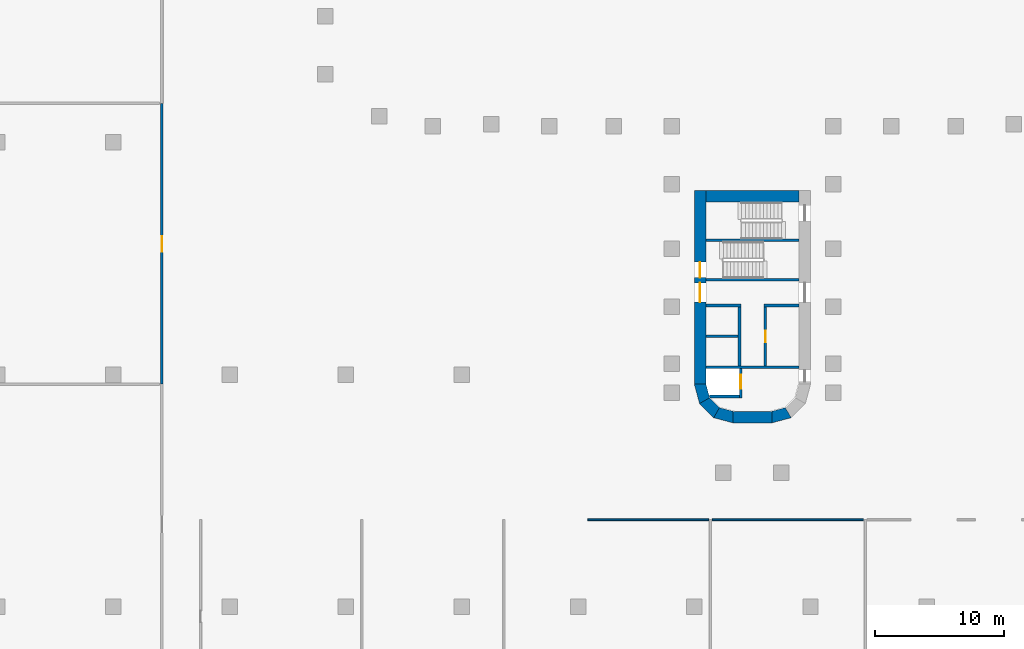
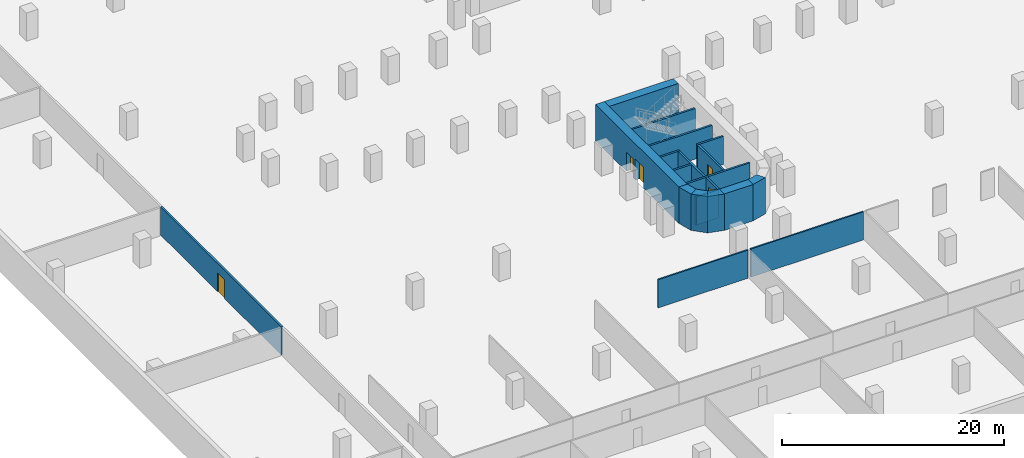
# One storey, part 5 of 11: 20 walls, 5 doors, 5 openings.
"""IFC4 building model written with IfcOpenShell, lengths in metres."""

from ifc_helpers import new_model, si_unit, direction, frame, frame_2d, origin, place, context, subcontext, project, spatial, polyline, rectangle, outline, extrude, material, layer, layer_set, type_object, element, fill, save


model = new_model("IFC4")

# Units and contexts
model_context = context("Model", 3, precision=1e-05, world=origin(), true_north=direction((0.0, 1.0)))
body_context = subcontext(model_context, "Body", "Model", "MODEL_VIEW")
ifc_project = project(units=[si_unit("LENGTHUNIT", "METRE"), si_unit("AREAUNIT", "SQUARE_METRE"), si_unit("VOLUMEUNIT", "CUBIC_METRE"), si_unit("PLANEANGLEUNIT", "RADIAN"), si_unit("MASSUNIT", "GRAM", prefix="KILO")], contexts=[model_context])

# Site, building, storey
site_placement = place(None, origin())
site = spatial("IfcSite", under=ifc_project, at=site_placement, CompositionType="ELEMENT")
building_placement = place(site_placement, origin())
building = spatial("IfcBuilding", under=site, at=building_placement, Name="Zarbagh Exchange Tower", CompositionType="ELEMENT")
storey_placement = place(building_placement, frame((0.0, 0.0, -4.0)))
storey = spatial("IfcBuildingStorey", under=building, at=storey_placement, Name="B1", CompositionType="ELEMENT", Elevation=-4.0)

# Walls
ifc_material_1 = material(Name="Plasterboard partition")
ifc_layer_1 = layer(ifc_material_1, 0.14990234375)
ifc_layer_set_1 = layer_set([ifc_layer_1], Name="Board partition 150")
wall_type_1 = type_object("IfcWallType", Name="Board partition 150", PredefinedType="PARTITIONING", material=ifc_layer_set_1)
wall_1_placement = place(storey_placement, frame((-12.75, -36.75, 0.0), z_axis=(0.0, 0.0, 1.0), x_axis=(1.0, 0.0, 0.0)))
element("IfcWall", 1, at=wall_1_placement, inside=storey, type_object=wall_type_1, Name="WL-B1-W041", PredefinedType="PARTITIONING", context=body_context, shape_type="SweptSolid", body=[
    extrude(rectangle(XDim=9.35009765625, YDim=0.14990234375, at=frame_2d((4.675048828125, 0.0))), origin(), (0.0, 0.0, 1.0), 3.10009765625),
])
wall_2_placement = place(storey_placement, frame((-3.10009765625, -36.75, 0.0), z_axis=(0.0, 0.0, 1.0), x_axis=(1.0, 0.0, 0.0)))
element("IfcWall", 2, at=wall_2_placement, inside=storey, type_object=wall_type_1, Name="WL-B1-W043", PredefinedType="PARTITIONING", context=body_context, shape_type="SweptSolid", body=[
    extrude(rectangle(XDim=11.7001953125, YDim=0.14990234375, at=frame_2d((5.85009765625, 0.0))), origin(), (0.0, 0.0, 1.0), 3.10009765625),
])

# Wall, opening, door
ifc_material_2 = material(Name="Concrete block partition", Category="concrete")
ifc_layer_2 = layer(ifc_material_2, 0.199951171875)
ifc_layer_set_2 = layer_set([ifc_layer_2], Name="Fire-rated block partition 200 EI 120")
wall_type_2 = type_object("IfcWallType", Name="Fire-rated block partition 200 EI 120", PredefinedType="PARTITIONING", material=ifc_layer_set_2)
wall_3_placement = place(storey_placement, frame((-45.75, -26.25, 0.0), z_axis=(0.0, 0.0, 1.0), x_axis=(0.0, 1.0, 0.0)))
wall_3 = element("IfcWall", 3, at=wall_3_placement, inside=storey, type_object=wall_type_2, Name="WL-B1-W003", PredefinedType="PARTITIONING", context=body_context, shape_type="SweptSolid", body=[
    extrude(rectangle(XDim=21.75, YDim=0.199951171875, at=frame_2d((10.875, 0.0))), origin(), (0.0, 0.0, 1.0), 3.10009765625),
])
opening_1_placement = place(wall_3_placement, frame((10.27490234375, 0.0, 0.0)))
opening_1 = element("IfcOpeningElement", 4, at=opening_1_placement, cuts=wall_3, Name="Opening D35", PredefinedType="OPENING", context=body_context, shape_type="SweptSolid", body=[
    extrude(rectangle(XDim=1.199951171875, YDim=2.10009765625, at=frame_2d((0.60009765625, 1.050048828125))), frame((0.0, 0.10986328125, 0.0), z_axis=(0.0, -1.0, 0.0), x_axis=(1.0, 0.0, 0.0)), (0.0, 0.0, 1.0), 0.219970703125),
])
ifc_material_3 = material(Name="Steel door set", Category="steel")
door_type_1 = type_object("IfcDoorType", Name="Door single 1200x2100 EI 120", OperationType="SINGLE_SWING_LEFT", PredefinedType="DOOR", material=ifc_material_3)
door_1_placement = place(opening_1_placement, origin())
door_1 = element("IfcDoor", 5, at=door_1_placement, inside=storey, type_object=door_type_1, Name="D03", OperationType="SINGLE_SWING_LEFT", OverallHeight=2.10009765625, OverallWidth=1.199951171875, PredefinedType="DOOR", context=body_context, shape_type="SweptSolid", body=[
    extrude(rectangle(XDim=1.199951171875, YDim=2.10009765625, at=frame_2d((0.60009765625, 1.050048828125))), frame((0.0, 0.02490234375, 0.0), z_axis=(0.0, -1.0, 0.0), x_axis=(1.0, 0.0, 0.0)), (0.0, 0.0, 1.0), 0.050048828125),
])
fill(opening_1, door_1)

# Walls
ifc_material_4 = material(Name="Concrete C60/75", Category="concrete")
ifc_layer_3 = layer(ifc_material_4, 0.89990234375)
ifc_layer_set_3 = layer_set([ifc_layer_3], Name="RC core corner wall 900 C60/75")
wall_type_3 = type_object("IfcWallType", Name="RC core corner wall 900 C60/75", PredefinedType="SHEAR", material=ifc_layer_set_3)
wall_4_placement = place(storey_placement, origin())
element("IfcWall", 6, at=wall_4_placement, inside=storey, type_object=wall_type_3, Name="CW2 core S corner W", PredefinedType="SHEAR", context=body_context, shape_type="SweptSolid", body=[
    extrude(outline(polyline([(-4.5, -26.25), (-4.09814453125, -27.75), (-3.318603515625, -27.300048828125), (-3.60009765625, -26.25), (-4.5, -26.25)])), origin(), (0.0, 0.0, 1.0), 4.0),
])
wall_5_placement = place(storey_placement, origin())
element("IfcWall", 7, at=wall_5_placement, inside=storey, type_object=wall_type_3, Name="CW2 core S corner W", PredefinedType="SHEAR", context=body_context, shape_type="SweptSolid", body=[
    extrude(outline(polyline([(-4.09814453125, -27.75), (-3.0, -28.84814453125), (-2.550048828125, -28.068603515625), (-3.318603515625, -27.300048828125), (-4.09814453125, -27.75)])), origin(), (0.0, 0.0, 1.0), 4.0),
])
wall_6_placement = place(storey_placement, origin())
element("IfcWall", 8, at=wall_6_placement, inside=storey, type_object=wall_type_3, Name="CW2 core S corner W", PredefinedType="SHEAR", context=body_context, shape_type="SweptSolid", body=[
    extrude(outline(polyline([(-3.0, -28.84814453125), (-1.5, -29.25), (-1.5, -28.35009765625), (-2.550048828125, -28.068603515625), (-3.0, -28.84814453125)])), origin(), (0.0, 0.0, 1.0), 4.0),
])
wall_7_placement = place(storey_placement, origin())
element("IfcWall", 9, at=wall_7_placement, inside=storey, type_object=wall_type_3, Name="CW2 core S corner E", PredefinedType="SHEAR", context=body_context, shape_type="SweptSolid", body=[
    extrude(outline(polyline([(3.0, -28.84814453125), (1.5, -29.25), (1.5, -28.35009765625), (2.550048828125, -28.068603515625), (3.0, -28.84814453125)])), origin(), (0.0, 0.0, 1.0), 4.0),
])

# Wall, openings, doors
ifc_layer_4 = layer(ifc_material_4, 0.89990234375)
ifc_layer_set_4 = layer_set([ifc_layer_4], Name="RC core wall 900 C60/75")
wall_type_4 = type_object("IfcWallType", Name="RC core wall 900 C60/75", PredefinedType="SHEAR", material=ifc_layer_set_4)
wall_8_placement = place(storey_placement, frame((-4.050048828125, -11.25, 0.0), z_axis=(0.0, 0.0, 1.0), x_axis=(0.0, -1.0, 0.0)))
wall_8 = element("IfcWall", 10, at=wall_8_placement, inside=storey, type_object=wall_type_4, Name="CW1 core S W", PredefinedType="SHEAR", context=body_context, shape_type="SweptSolid", body=[
    extrude(rectangle(XDim=15.0, YDim=0.89990234375, at=frame_2d((7.5, 0.0))), origin(), (0.0, 0.0, 1.0), 4.0),
])
opening_2_placement = place(wall_8_placement, frame((7.14990234375, 0.0, 0.0)))
opening_2 = element("IfcOpeningElement", 11, at=opening_2_placement, cuts=wall_8, Name="Opening CD1-1500", PredefinedType="OPENING", context=body_context, shape_type="SweptSolid", body=[
    extrude(rectangle(XDim=1.5, YDim=2.300048828125, at=frame_2d((0.75, 1.14990234375))), frame((0.0, 0.4599609375, 0.0), z_axis=(0.0, -1.0, 0.0), x_axis=(1.0, 0.0, 0.0)), (0.0, 0.0, 1.0), 0.919921875),
])
opening_3_placement = place(wall_8_placement, frame((5.550048828125, 0.0, 0.0)))
opening_3 = element("IfcOpeningElement", 12, at=opening_3_placement, cuts=wall_8, Name="Opening SD1-1200", PredefinedType="OPENING", context=body_context, shape_type="SweptSolid", body=[
    extrude(rectangle(XDim=1.199951171875, YDim=2.10009765625, at=frame_2d((0.60009765625, 1.050048828125))), frame((0.0, 0.4599609375, 0.0), z_axis=(0.0, -1.0, 0.0), x_axis=(1.0, 0.0, 0.0)), (0.0, 0.0, 1.0), 0.919921875),
])
ifc_material_5 = material(Name="Steel", Category="steel")
door_type_2 = type_object("IfcDoorType", Name="Exit stair door 1200 x 2100", OperationType="NOTDEFINED", PredefinedType="DOOR", material=ifc_material_5)
door_2_placement = place(opening_3_placement, origin())
door_2 = element("IfcDoor", 13, at=door_2_placement, inside=storey, type_object=door_type_2, Name="South core stair door ST1", OperationType="SINGLE_SWING_LEFT", OverallHeight=2.10009765625, OverallWidth=1.199951171875, PredefinedType="DOOR", context=body_context, shape_type="SweptSolid", body=[
    extrude(rectangle(XDim=1.199951171875, YDim=2.10009765625, at=frame_2d((0.60009765625, 1.050048828125))), frame((0.0, 0.02490234375, 0.0), z_axis=(0.0, -1.0, 0.0), x_axis=(1.0, 0.0, 0.0)), (0.0, 0.0, 1.0), 0.050048828125),
])
fill(opening_3, door_2)
door_type_3 = type_object("IfcDoorType", Name="Lift lobby double door 1500 x 2300", OperationType="NOTDEFINED", PredefinedType="DOOR", material=ifc_material_5)
door_3_placement = place(opening_2_placement, origin())
door_3 = element("IfcDoor", 14, at=door_3_placement, inside=storey, type_object=door_type_3, Name="South core lift lobby door LOBBY-E", OperationType="DOUBLE_DOOR_SINGLE_SWING", OverallHeight=2.300048828125, OverallWidth=1.5, PredefinedType="DOOR", context=body_context, shape_type="SweptSolid", body=[
    extrude(rectangle(XDim=1.5, YDim=2.300048828125, at=frame_2d((0.75, 1.14990234375))), frame((0.0, 0.02490234375, 0.0), z_axis=(0.0, -1.0, 0.0), x_axis=(1.0, 0.0, 0.0)), (0.0, 0.0, 1.0), 0.050048828125),
])
fill(opening_2, door_3)

# Walls
wall_9_placement = place(storey_placement, frame((-3.60009765625, -11.699951171875, 0.0), z_axis=(0.0, 0.0, 1.0), x_axis=(1.0, 0.0, 0.0)))
element("IfcWall", 15, at=wall_9_placement, inside=storey, type_object=wall_type_4, Name="CW1 core S inner end", PredefinedType="SHEAR", context=body_context, shape_type="SweptSolid", body=[
    extrude(rectangle(XDim=7.2001953125, YDim=0.89990234375, at=frame_2d((3.60009765625, 0.0))), origin(), (0.0, 0.0, 1.0), 4.0),
])
wall_10_placement = place(storey_placement, frame((-1.5, -28.800048828125, 0.0), z_axis=(0.0, 0.0, 1.0), x_axis=(1.0, 0.0, 0.0)))
element("IfcWall", 16, at=wall_10_placement, inside=storey, type_object=wall_type_4, Name="CW1 core S outer end", PredefinedType="SHEAR", context=body_context, shape_type="SweptSolid", body=[
    extrude(rectangle(XDim=3.0, YDim=0.89990234375, at=frame_2d((1.5, 0.0))), origin(), (0.0, 0.0, 1.0), 4.0),
])
ifc_material_6 = material(Name="Dense blockwork", Category="masonry")
ifc_layer_5 = layer(ifc_material_6, 0.199951171875)
ifc_layer_set_5 = layer_set([ifc_layer_5], Name="Shaft wall 200 mm blockwork")
wall_type_5 = type_object("IfcWallType", Name="Shaft wall 200 mm blockwork", PredefinedType="PARTITIONING", material=ifc_layer_set_5)
wall_11_placement = place(storey_placement, frame((3.60009765625, -20.14990234375, 0.0), z_axis=(0.0, 0.0, 1.0), x_axis=(-1.0, 0.0, 0.0)))
element("IfcWall", 17, at=wall_11_placement, inside=storey, type_object=wall_type_5, Name="South core shaft wall AB-W", PredefinedType="PARTITIONING", context=body_context, shape_type="SweptSolid", body=[
    extrude(rectangle(XDim=2.7001953125, YDim=0.199951171875, at=frame_2d((1.35009765625, 0.0))), origin(), (0.0, 0.0, 1.0), 3.10009765625),
])

# Wall, opening, door
wall_12_placement = place(storey_placement, frame((1.0, -24.85009765625, 0.0), z_axis=(0.0, 0.0, 1.0), x_axis=(0.0, 1.0, 0.0)))
wall_12 = element("IfcWall", 18, at=wall_12_placement, inside=storey, type_object=wall_type_5, Name="South core shaft wall LW-W", PredefinedType="PARTITIONING", context=body_context, shape_type="SweptSolid", body=[
    extrude(rectangle(XDim=4.60009765625, YDim=0.199951171875, at=frame_2d((2.300048828125, 0.0))), origin(), (0.0, 0.0, 1.0), 3.10009765625),
])
opening_4_placement = place(wall_12_placement, frame((1.85009765625, 0.0, 0.0)))
opening_4 = element("IfcOpeningElement", 19, at=opening_4_placement, cuts=wall_12, Name="Opening CD3-900", PredefinedType="OPENING", context=body_context, shape_type="SweptSolid", body=[
    extrude(rectangle(XDim=0.89990234375, YDim=2.10009765625, at=frame_2d((0.449951171875, 1.050048828125))), frame((0.0, 0.10986328125, 0.0), z_axis=(0.0, -1.0, 0.0), x_axis=(1.0, 0.0, 0.0)), (0.0, 0.0, 1.0), 0.219970703125),
])
door_type_4 = type_object("IfcDoorType", Name="Core room door 900 x 2100", OperationType="NOTDEFINED", PredefinedType="DOOR", material=ifc_material_5)
door_4_placement = place(opening_4_placement, origin())
door_4 = element("IfcDoor", 20, at=door_4_placement, inside=storey, type_object=door_type_4, Name="South core Tank room door RD-W-0", OperationType="SINGLE_SWING_LEFT", OverallHeight=2.10009765625, OverallWidth=0.89990234375, PredefinedType="DOOR", context=body_context, shape_type="SweptSolid", body=[
    extrude(rectangle(XDim=0.89990234375, YDim=2.10009765625, at=frame_2d((0.449951171875, 1.050048828125))), frame((0.0, 0.02490234375, 0.0), z_axis=(0.0, -1.0, 0.0), x_axis=(1.0, 0.0, 0.0)), (0.0, 0.0, 1.0), 0.050048828125),
])
fill(opening_4, door_4)

# Walls
wall_13_placement = place(storey_placement, frame((-0.89990234375, -20.14990234375, 0.0), z_axis=(0.0, 0.0, 1.0), x_axis=(-1.0, 0.0, 0.0)))
element("IfcWall", 21, at=wall_13_placement, inside=storey, type_object=wall_type_5, Name="South core shaft wall AB-E", PredefinedType="PARTITIONING", context=body_context, shape_type="SweptSolid", body=[
    extrude(rectangle(XDim=2.7001953125, YDim=0.199951171875, at=frame_2d((1.35009765625, 0.0))), origin(), (0.0, 0.0, 1.0), 3.10009765625),
])
wall_14_placement = place(storey_placement, frame((-1.0, -24.85009765625, 0.0), z_axis=(0.0, 0.0, 1.0), x_axis=(0.0, 1.0, 0.0)))
element("IfcWall", 22, at=wall_14_placement, inside=storey, type_object=wall_type_5, Name="South core shaft wall LW-E", PredefinedType="PARTITIONING", context=body_context, shape_type="SweptSolid", body=[
    extrude(rectangle(XDim=4.60009765625, YDim=0.199951171875, at=frame_2d((2.300048828125, 0.0))), origin(), (0.0, 0.0, 1.0), 3.10009765625),
])
wall_15_placement = place(storey_placement, frame((-1.10009765625, -22.550048828125, 0.0), z_axis=(0.0, 0.0, 1.0), x_axis=(-1.0, 0.0, 0.0)))
element("IfcWall", 23, at=wall_15_placement, inside=storey, type_object=wall_type_5, Name="South core shaft wall TR-E", PredefinedType="PARTITIONING", context=body_context, shape_type="SweptSolid", body=[
    extrude(rectangle(XDim=2.5, YDim=0.199951171875, at=frame_2d((1.25, 0.0))), origin(), (0.0, 0.0, 1.0), 3.10009765625),
])
ifc_material_7 = material(Name="Concrete C40/50", Category="concrete")
ifc_layer_6 = layer(ifc_material_7, 0.199951171875)
ifc_layer_set_6 = layer_set([ifc_layer_6], Name="Stair enclosure wall 200 mm RC C40/50")
wall_type_6 = type_object("IfcWallType", Name="Stair enclosure wall 200 mm RC C40/50", PredefinedType="SHEAR", material=ifc_layer_set_6)
wall_16_placement = place(storey_placement, frame((3.60009765625, -24.949951171875, 0.0), z_axis=(0.0, 0.0, 1.0), x_axis=(-1.0, 0.0, 0.0)))
element("IfcWall", 24, at=wall_16_placement, inside=storey, type_object=wall_type_6, Name="South core lift shaft wall FFA", PredefinedType="SHEAR", context=body_context, shape_type="SweptSolid", body=[
    extrude(rectangle(XDim=7.2001953125, YDim=0.199951171875, at=frame_2d((3.60009765625, 0.0))), origin(), (0.0, 0.0, 1.0), 3.10009765625),
])

# Wall, opening, door
wall_17_placement = place(storey_placement, frame((-0.89990234375, -27.300048828125, 0.0), z_axis=(0.0, 0.0, 1.0), x_axis=(0.0, 1.0, 0.0)))
wall_17 = element("IfcWall", 25, at=wall_17_placement, inside=storey, type_object=wall_type_6, Name="South core lift shaft wall FFL", PredefinedType="SHEAR", context=body_context, shape_type="SweptSolid", body=[
    extrude(rectangle(XDim=2.25, YDim=0.199951171875, at=frame_2d((1.125, 0.0))), origin(), (0.0, 0.0, 1.0), 3.10009765625),
])
opening_5_placement = place(wall_17_placement, frame((0.699951171875, 0.0, 0.0)))
opening_5 = element("IfcOpeningElement", 26, at=opening_5_placement, cuts=wall_17, Name="Opening LD-1100", PredefinedType="OPENING", context=body_context, shape_type="SweptSolid", body=[
    extrude(rectangle(XDim=1.10009765625, YDim=2.300048828125, at=frame_2d((0.550048828125, 1.14990234375))), frame((0.0, 0.10986328125, 0.0), z_axis=(0.0, -1.0, 0.0), x_axis=(1.0, 0.0, 0.0)), (0.0, 0.0, 1.0), 0.219970703125),
])
ifc_material_8 = material(Name="Stainless steel", Category="steel")
door_type_5 = type_object("IfcDoorType", Name="Lift landing door 1100 x 2300", OperationType="NOTDEFINED", PredefinedType="DOOR", material=ifc_material_8)
door_5_placement = place(opening_5_placement, origin())
door_5 = element("IfcDoor", 27, at=door_5_placement, inside=storey, type_object=door_type_5, Name="South core lift landing door LD-F", OperationType="DOUBLE_DOOR_SLIDING", OverallHeight=2.300048828125, OverallWidth=1.10009765625, PredefinedType="DOOR", context=body_context, shape_type="SweptSolid", body=[
    extrude(rectangle(XDim=1.10009765625, YDim=2.300048828125, at=frame_2d((0.550048828125, 1.14990234375))), frame((0.0, 0.02490234375, 0.0), z_axis=(0.0, -1.0, 0.0), x_axis=(1.0, 0.0, 0.0)), (0.0, 0.0, 1.0), 0.050048828125),
])
fill(opening_5, door_5)

# Walls
wall_18_placement = place(storey_placement, origin())
element("IfcWall", 28, at=wall_18_placement, inside=storey, type_object=wall_type_6, Name="South core lift shaft wall FFX", PredefinedType="SHEAR", context=body_context, shape_type="SweptSolid", body=[
    extrude(outline(polyline([(-1.0, -27.10009765625), (-3.340576171875, -27.10009765625), (-3.291259765625, -27.2841796875), (-3.275390625, -27.300048828125), (-1.0, -27.300048828125), (-1.0, -27.10009765625)])), origin(), (0.0, 0.0, 1.0), 3.10009765625),
])
for number, where, z_axis, x_axis, name in (
    (29, (3.60009765625, -18.14990234375, 0.0), (0.0, 0.0, 1.0), (-1.0, 0.0, 0.0), "South core stair wall BS"),
    (30, (3.60009765625, -15.10009765625, 0.0), (0.0, 0.0, 1.0), (-1.0, 0.0, 0.0), "South core stair wall ST12"),
):
    element("IfcWall", number, at=place(storey_placement, frame(where, z_axis=z_axis, x_axis=x_axis)), inside=storey, type_object=wall_type_6, Name=name, PredefinedType="SHEAR", context=body_context, shape_type="SweptSolid", body=[
        extrude(rectangle(XDim=7.2001953125, YDim=0.199951171875, at=frame_2d((3.60009765625, 0.0))), origin(), (0.0, 0.0, 1.0), 3.10009765625),
    ])

save(model, "model.ifc")
